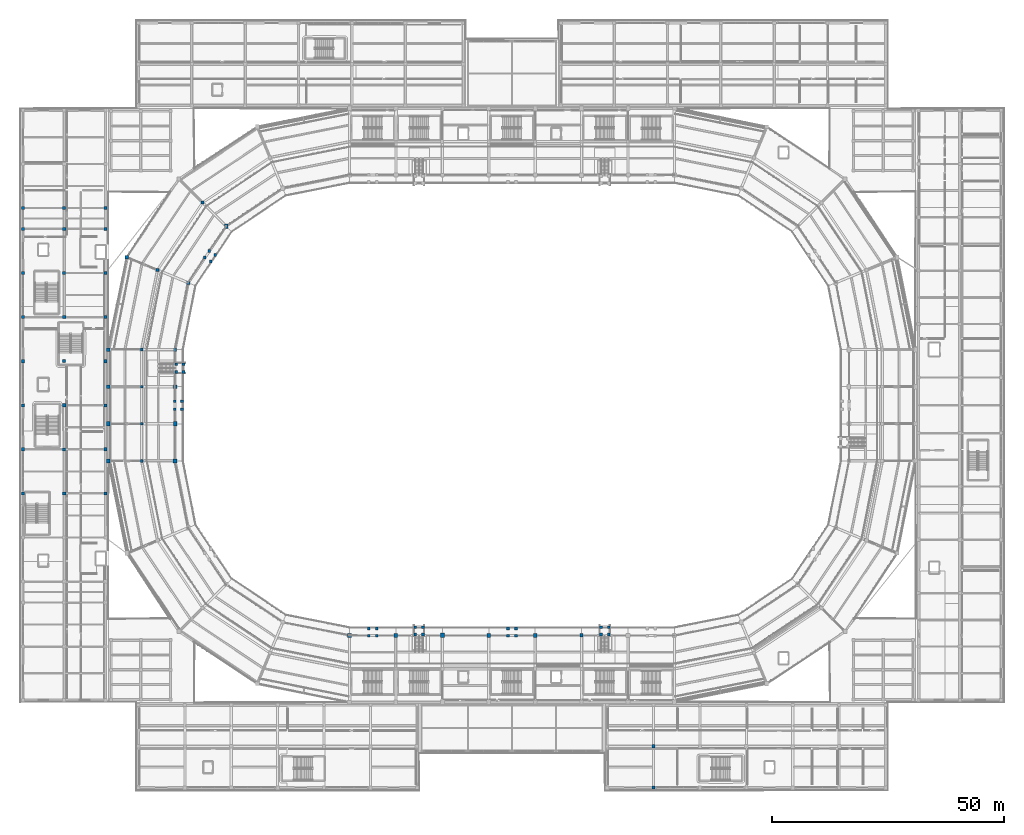
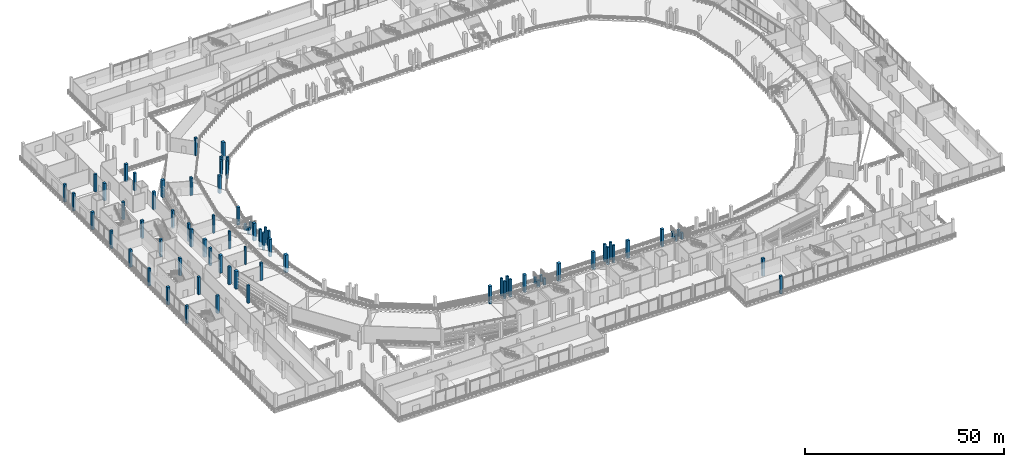
# One storey, part 4 of 127: 77 columns.
"""IFC4 building model written with IfcOpenShell, lengths in metres."""

from ifc_helpers import new_model, si_unit, direction, frame, origin, origin_2d, place, context, subcontext, project, spatial, rectangle, extrude, material, material_profile, profile_set, type_object, element, save


model = new_model("IFC4")

# Units and contexts
model_context = context("Model", 3, precision=1e-05, world=origin(), true_north=direction((0.0, 1.0)))
body_context = subcontext(model_context, "Body", "Model", "MODEL_VIEW")
ifc_project = project(units=[si_unit("LENGTHUNIT", "METRE"), si_unit("AREAUNIT", "SQUARE_METRE"), si_unit("VOLUMEUNIT", "CUBIC_METRE"), si_unit("PLANEANGLEUNIT", "RADIAN"), si_unit("MASSUNIT", "GRAM", prefix="KILO")], contexts=[model_context])

# Site, building, storey
site_placement = place(None, origin())
site = spatial("IfcSite", under=ifc_project, at=site_placement, CompositionType="ELEMENT")
building_placement = place(site_placement, origin())
building = spatial("IfcBuilding", under=site, at=building_placement, Name="Candeia Ridge Stadium", CompositionType="ELEMENT")
storey_placement = place(building_placement, frame((0.0, 0.0, 10.800048828125)))
storey = spatial("IfcBuildingStorey", under=building, at=storey_placement, Name="L02", CompositionType="ELEMENT", Elevation=10.800048828125)

# Columns
ifc_material_1 = material(Name="Concrete C45/55", Category="concrete")
ifc_material_profile_1 = material_profile(ifc_material_1, rectangle(XDim=0.800048828125, YDim=0.800048828125, at=origin_2d()), Name="RC800x800", Category="concrete")
ifc_profile_set_1 = profile_set([ifc_material_profile_1], Name="Concrete C45/55")
column_type_1 = type_object("IfcColumnType", Name="Bowl Column RC800x800", PredefinedType="COLUMN", material=ifc_profile_set_1)
for number, where, z_axis, x_axis, name in (
    (1, (36.26220703125, 109.388916015625, 0.0), (0.0, 0.0, 1.0), (1.0, 0.0, 0.0), "Structural column BC-MD-10 L02"),
    (2, (22.958251953125, 114.899658203125, 0.0), (0.0, 0.0, 1.0), (1.0, 0.0, 0.0), "Structural column BC-OU-10 L02"),
    (3, (33.39990234375, 87.0, 0.0), (0.0, 0.0, 1.0), (1.0, 0.0, 0.0), "Structural column BC-MD-12 L02"),
    (4, (19.0, 87.0, 0.0), (0.0, 0.0, 1.0), (1.0, 0.0, 0.0), "Structural column BC-OU-12 L02"),
    (5, (71.0, 33.39990234375, 0.0), (0.0, 0.0, 1.0), (1.0, 0.0, 0.0), "Structural column BC-MD-18 L02"),
    (6, (111.0, 33.39990234375, 0.0), (0.0, 0.0, 1.0), (1.0, 0.0, 0.0), "Structural column BC-MD-22 L02"),
):
    element("IfcColumn", number, at=place(storey_placement, frame(where, z_axis=z_axis, x_axis=x_axis)), inside=storey, type_object=column_type_1, Name=name, PredefinedType="COLUMN", context=body_context, shape_type="SweptSolid", body=[
        extrude(rectangle(XDim=0.800048828125, YDim=0.800048828125, at=origin_2d()), origin(), (0.0, 0.0, 1.0), 5.39990234375),
    ])
ifc_material_2 = material(Name="Concrete C40/50", Category="concrete")
ifc_material_profile_2 = material_profile(ifc_material_2, rectangle(XDim=0.47998046875, YDim=0.56005859375, at=origin_2d()), Name="RC480x560", Category="concrete")
ifc_profile_set_2 = profile_set([ifc_material_profile_2], Name="Concrete C40/50")
column_type_2 = type_object("IfcColumnType", Name="Graduated Frame Column RC480x560", PredefinedType="COLUMN", material=ifc_profile_set_2)
column_1_placement = place(storey_placement, frame((26.199951171875, 79.0, 0.0), z_axis=(0.0, 0.0, 1.0), x_axis=(1.0, 0.0, 0.0)))
element("IfcColumn", 7, at=column_1_placement, inside=storey, type_object=column_type_2, Name="Structural column BC-M2-13 L02", PredefinedType="COLUMN", context=body_context, shape_type="SweptSolid", body=[
    extrude(rectangle(XDim=0.47998046875, YDim=0.56005859375, at=origin_2d()), origin(), (0.0, 0.0, 1.0), 5.39990234375),
])
ifc_material_profile_3 = material_profile(ifc_material_2, rectangle(XDim=0.52001953125, YDim=0.6201171875, at=origin_2d()), Name="RC520x620", Category="concrete")
ifc_profile_set_3 = profile_set([ifc_material_profile_3], Name="Concrete C40/50")
column_type_3 = type_object("IfcColumnType", Name="Graduated Frame Column RC520x620", PredefinedType="COLUMN", material=ifc_profile_set_3)
column_2_placement = place(storey_placement, frame((26.199951171875, 87.0, 0.0), z_axis=(0.0, 0.0, 1.0), x_axis=(1.0, 0.0, 0.0)))
element("IfcColumn", 8, at=column_2_placement, inside=storey, type_object=column_type_3, Name="Structural column BC-M2-12 L02", PredefinedType="COLUMN", context=body_context, shape_type="SweptSolid", body=[
    extrude(rectangle(XDim=0.52001953125, YDim=0.6201171875, at=origin_2d()), origin(), (0.0, 0.0, 1.0), 5.39990234375),
])
ifc_material_profile_4 = material_profile(ifc_material_2, rectangle(XDim=0.580078125, YDim=0.580078125, at=origin_2d()), Name="RC580x580", Category="concrete")
ifc_profile_set_4 = profile_set([ifc_material_profile_4], Name="Concrete C40/50")
column_type_4 = type_object("IfcColumnType", Name="Graduated Frame Column RC580x580", PredefinedType="COLUMN", material=ifc_profile_set_4)
column_3_placement = place(storey_placement, frame((39.321533203125, 126.678466796875, 0.0), z_axis=(0.0, 0.0, 1.0), x_axis=(1.0, 0.0, 0.0)))
element("IfcColumn", 9, at=column_3_placement, inside=storey, type_object=column_type_4, Name="Structural column BC-M2-09 L02", PredefinedType="COLUMN", context=body_context, shape_type="SweptSolid", body=[
    extrude(rectangle(XDim=0.580078125, YDim=0.580078125, at=origin_2d()), origin(), (0.0, 0.0, 1.0), 5.39990234375),
])
ifc_material_profile_5 = material_profile(ifc_material_2, rectangle(XDim=0.580078125, YDim=0.679931640625, at=origin_2d()), Name="RC580x680", Category="concrete")
ifc_profile_set_5 = profile_set([ifc_material_profile_5], Name="Concrete C40/50")
column_type_5 = type_object("IfcColumnType", Name="Graduated Frame Column RC580x680", PredefinedType="COLUMN", material=ifc_profile_set_5)
column_4_placement = place(storey_placement, frame((26.199951171875, 95.0, 0.0), z_axis=(0.0, 0.0, 1.0), x_axis=(1.0, 0.0, 0.0)))
element("IfcColumn", 10, at=column_4_placement, inside=storey, type_object=column_type_5, Name="Structural column BC-M2-11 L02", PredefinedType="COLUMN", context=body_context, shape_type="SweptSolid", body=[
    extrude(rectangle(XDim=0.580078125, YDim=0.679931640625, at=origin_2d()), origin(), (0.0, 0.0, 1.0), 5.39990234375),
])
ifc_material_profile_6 = material_profile(ifc_material_2, rectangle(XDim=0.6201171875, YDim=0.6201171875, at=origin_2d()), Name="RC620x620", Category="concrete")
ifc_profile_set_6 = profile_set([ifc_material_profile_6], Name="Concrete C40/50")
column_type_6 = type_object("IfcColumnType", Name="Graduated Frame Column RC620x620", PredefinedType="COLUMN", material=ifc_profile_set_6)
column_5_placement = place(storey_placement, frame((26.199951171875, 71.0, 0.0), z_axis=(0.0, 0.0, 1.0), x_axis=(1.0, 0.0, 0.0)))
element("IfcColumn", 11, at=column_5_placement, inside=storey, type_object=column_type_6, Name="Structural column BC-M2-14 L02", PredefinedType="COLUMN", context=body_context, shape_type="SweptSolid", body=[
    extrude(rectangle(XDim=0.6201171875, YDim=0.6201171875, at=origin_2d()), origin(), (0.0, 0.0, 1.0), 5.39990234375),
])
ifc_material_profile_7 = material_profile(ifc_material_2, rectangle(XDim=0.6201171875, YDim=0.719970703125, at=origin_2d()), Name="RC620x720", Category="concrete")
ifc_profile_set_7 = profile_set([ifc_material_profile_7], Name="Concrete C40/50")
column_type_7 = type_object("IfcColumnType", Name="Graduated Frame Column RC620x720", PredefinedType="COLUMN", material=ifc_profile_set_7)
column_6_placement = place(storey_placement, frame((29.610107421875, 112.144287109375, 0.0), z_axis=(0.0, 0.0, 1.0), x_axis=(1.0, 0.0, 0.0)))
element("IfcColumn", 12, at=column_6_placement, inside=storey, type_object=column_type_7, Name="Structural column BC-M2-10 L02", PredefinedType="COLUMN", context=body_context, shape_type="SweptSolid", body=[
    extrude(rectangle(XDim=0.6201171875, YDim=0.719970703125, at=origin_2d()), origin(), (0.0, 0.0, 1.0), 5.39990234375),
])
ifc_material_profile_8 = material_profile(ifc_material_2, rectangle(XDim=0.679931640625, YDim=0.760009765625, at=origin_2d()), Name="RC680x760", Category="concrete")
ifc_profile_set_8 = profile_set([ifc_material_profile_8], Name="Concrete C40/50")
column_type_8 = type_object("IfcColumnType", Name="Graduated Frame Column RC680x760", PredefinedType="COLUMN", material=ifc_profile_set_8)
for number, where, z_axis, x_axis, name in (
    (13, (33.39990234375, 95.0, 0.0), (0.0, 0.0, 1.0), (1.0, 0.0, 0.0), "Structural column BC-MD-11 L02"),
    (14, (19.0, 95.0, 0.0), (0.0, 0.0, 1.0), (1.0, 0.0, 0.0), "Structural column BC-OU-11 L02"),
    (15, (121.0, 33.39990234375, 0.0), (0.0, 0.0, 1.0), (1.0, 0.0, 0.0), "Structural column BC-MD-23 L02"),
):
    element("IfcColumn", number, at=place(storey_placement, frame(where, z_axis=z_axis, x_axis=x_axis)), inside=storey, type_object=column_type_8, Name=name, PredefinedType="COLUMN", context=body_context, shape_type="SweptSolid", body=[
        extrude(rectangle(XDim=0.679931640625, YDim=0.760009765625, at=origin_2d()), origin(), (0.0, 0.0, 1.0), 5.39990234375),
    ])
ifc_material_profile_9 = material_profile(ifc_material_1, rectangle(XDim=0.820068359375, YDim=0.949951171875, at=origin_2d()), Name="RC820x950", Category="concrete")
ifc_profile_set_9 = profile_set([ifc_material_profile_9], Name="Concrete C45/55")
column_type_9 = type_object("IfcColumnType", Name="Graduated Frame Column RC820x950", PredefinedType="COLUMN", material=ifc_profile_set_9)
for number, where, z_axis, x_axis, name in (
    (16, (33.39990234375, 71.0, 0.0), (0.0, 0.0, 1.0), (1.0, 0.0, 0.0), "Structural column BC-MD-14 L02"),
    (17, (19.0, 71.0, 0.0), (0.0, 0.0, 1.0), (1.0, 0.0, 0.0), "Structural column BC-OU-14 L02"),
    (18, (91.0, 33.39990234375, 0.0), (0.0, 0.0, 1.0), (1.0, 0.0, 0.0), "Structural column BC-MD-20 L02"),
):
    element("IfcColumn", number, at=place(storey_placement, frame(where, z_axis=z_axis, x_axis=x_axis)), inside=storey, type_object=column_type_9, Name=name, PredefinedType="COLUMN", context=body_context, shape_type="SweptSolid", body=[
        extrude(rectangle(XDim=0.820068359375, YDim=0.949951171875, at=origin_2d()), origin(), (0.0, 0.0, 1.0), 5.39990234375),
    ])
ifc_material_profile_10 = material_profile(ifc_material_2, rectangle(XDim=0.64990234375, YDim=0.64990234375, at=origin_2d()), Name="RC650x650", Category="concrete")
ifc_profile_set_10 = profile_set([ifc_material_profile_10], Name="Concrete C40/50")
column_type_10 = type_object("IfcColumnType", Name="Reinforced Concrete Column RC650x650", PredefinedType="COLUMN", material=ifc_profile_set_10)
for number, where, z_axis, x_axis, name in (
    (19, (0.60009765625, 64.0, 0.0), (0.0, 0.0, 1.0), (1.0, 0.0, 0.0), "Structural column WP-00-05 L02"),
    (20, (0.60009765625, 83.0, 0.0), (0.0, 0.0, 1.0), (1.0, 0.0, 0.0), "Structural column WP-00-07 L02"),
    (21, (0.60009765625, 102.0, 0.0), (0.0, 0.0, 1.0), (1.0, 0.0, 0.0), "Structural column WP-00-09 L02"),
    (22, (0.60009765625, 121.0, 0.0), (0.0, 0.0, 1.0), (1.0, 0.0, 0.0), "Structural column WP-00-11 L02"),
    (23, (9.5, 73.5, 0.0), (0.0, 0.0, 1.0), (1.0, 0.0, 0.0), "Structural column WP-01-06 L02"),
    (24, (9.5, 92.5, 0.0), (0.0, 0.0, 1.0), (1.0, 0.0, 0.0), "Structural column WP-01-08 L02"),
    (25, (9.5, 111.5, 0.0), (0.0, 0.0, 1.0), (1.0, 0.0, 0.0), "Structural column WP-01-10 L02"),
    (26, (9.5, 125.5, 0.0), (0.0, 0.0, 1.0), (1.0, 0.0, 0.0), "Structural column WP-01-12 L02"),
    (27, (18.39990234375, 64.0, 0.0), (0.0, 0.0, 1.0), (1.0, 0.0, 0.0), "Structural column WP-02-05 L02"),
    (28, (18.39990234375, 83.0, 0.0), (0.0, 0.0, 1.0), (1.0, 0.0, 0.0), "Structural column WP-02-07 L02"),
    (29, (18.39990234375, 102.0, 0.0), (0.0, 0.0, 1.0), (1.0, 0.0, 0.0), "Structural column WP-02-09 L02"),
    (30, (18.39990234375, 121.0, 0.0), (0.0, 0.0, 1.0), (1.0, 0.0, 0.0), "Structural column WP-02-11 L02"),
    (31, (136.5, 0.60009765625, 0.0), (0.0, 0.0, 1.0), (1.0, 0.0, 0.0), "Structural column SWE-01-00 L02"),
):
    element("IfcColumn", number, at=place(storey_placement, frame(where, z_axis=z_axis, x_axis=x_axis)), inside=storey, type_object=column_type_10, Name=name, PredefinedType="COLUMN", context=body_context, shape_type="SweptSolid", body=[
        extrude(rectangle(XDim=0.64990234375, YDim=0.64990234375, at=origin_2d()), origin(), (0.0, 0.0, 1.0), 5.39990234375),
    ])
ifc_material_profile_11 = material_profile(ifc_material_1, rectangle(XDim=0.75, YDim=0.89990234375, at=origin_2d()), Name="RC750x900", Category="concrete")
ifc_profile_set_11 = profile_set([ifc_material_profile_11], Name="Concrete C45/55")
column_type_11 = type_object("IfcColumnType", Name="Reinforced Concrete Column RC750x900", PredefinedType="COLUMN", material=ifc_profile_set_11)
for number, where, z_axis, x_axis, name in (
    (32, (44.412841796875, 121.587158203125, 0.0), (0.0, 0.0, 1.0), (1.0, 0.0, 0.0), "Structural column BC-MD-09 L02"),
    (33, (33.39990234375, 79.0, 0.0), (0.0, 0.0, 1.0), (1.0, 0.0, 0.0), "Structural column BC-MD-13 L02"),
    (34, (19.0, 79.0, 0.0), (0.0, 0.0, 1.0), (1.0, 0.0, 0.0), "Structural column BC-OU-13 L02"),
    (35, (81.0, 33.39990234375, 0.0), (0.0, 0.0, 1.0), (1.0, 0.0, 0.0), "Structural column BC-MD-19 L02"),
    (36, (101.0, 33.39990234375, 0.0), (0.0, 0.0, 1.0), (1.0, 0.0, 0.0), "Structural column BC-MD-21 L02"),
):
    element("IfcColumn", number, at=place(storey_placement, frame(where, z_axis=z_axis, x_axis=x_axis)), inside=storey, type_object=column_type_11, Name=name, PredefinedType="COLUMN", context=body_context, shape_type="SweptSolid", body=[
        extrude(rectangle(XDim=0.75, YDim=0.89990234375, at=origin_2d()), origin(), (0.0, 0.0, 1.0), 5.39990234375),
    ])
ifc_material_profile_12 = material_profile(ifc_material_2, rectangle(XDim=0.60009765625, YDim=0.60009765625, at=origin_2d()), Name="RC600x600", Category="concrete")
ifc_profile_set_12 = profile_set([ifc_material_profile_12], Name="Concrete C40/50")
column_type_12 = type_object("IfcColumnType", Name="Wing Column RC600x600", PredefinedType="COLUMN", material=ifc_profile_set_12)
for number, where, z_axis, x_axis, name in (
    (37, (33.6298828125, 90.14990234375, 0.0), (0.0, 0.0, 1.0), (1.0, 0.0, 0.0), "Vomitory VS21 landing support column 1 L02"),
    (38, (35.179931640625, 90.14990234375, 0.0), (0.0, 0.0, 1.0), (1.0, 0.0, 0.0), "Vomitory VS21 landing support column 2 L02"),
    (39, (35.179931640625, 91.85009765625, 0.0), (0.0, 0.0, 1.0), (1.0, 0.0, 0.0), "Vomitory VS21 landing support column 3 L02"),
    (40, (33.6298828125, 91.85009765625, 0.0), (0.0, 0.0, 1.0), (1.0, 0.0, 0.0), "Vomitory VS21 landing support column 4 L02"),
    (41, (86.85009765625, 33.6298828125, 0.0), (0.0, 0.0, 1.0), (1.0, 0.0, 0.0), "Vomitory VS22 landing support column 1 L02"),
    (42, (86.85009765625, 35.179931640625, 0.0), (0.0, 0.0, 1.0), (1.0, 0.0, 0.0), "Vomitory VS22 landing support column 2 L02"),
    (43, (85.14990234375, 35.179931640625, 0.0), (0.0, 0.0, 1.0), (1.0, 0.0, 0.0), "Vomitory VS22 landing support column 3 L02"),
    (44, (85.14990234375, 33.6298828125, 0.0), (0.0, 0.0, 1.0), (1.0, 0.0, 0.0), "Vomitory VS22 landing support column 4 L02"),
    (45, (126.85009765625, 33.6298828125, 0.0), (0.0, 0.0, 1.0), (1.0, 0.0, 0.0), "Vomitory VS23 landing support column 1 L02"),
    (46, (126.85009765625, 35.179931640625, 0.0), (0.0, 0.0, 1.0), (1.0, 0.0, 0.0), "Vomitory VS23 landing support column 2 L02"),
    (47, (125.14990234375, 35.179931640625, 0.0), (0.0, 0.0, 1.0), (1.0, 0.0, 0.0), "Vomitory VS23 landing support column 3 L02"),
    (48, (125.14990234375, 33.6298828125, 0.0), (0.0, 0.0, 1.0), (1.0, 0.0, 0.0), "Vomitory VS23 landing support column 4 L02"),
):
    element("IfcColumn", number, at=place(storey_placement, frame(where, z_axis=z_axis, x_axis=x_axis)), inside=storey, type_object=column_type_12, Name=name, PredefinedType="COLUMN", context=body_context, shape_type="SweptSolid", body=[
        extrude(rectangle(XDim=0.60009765625, YDim=0.60009765625, at=origin_2d()), origin(), (0.0, 0.0, 1.0), 2.0400390625),
    ])
for number, where, z_axis, x_axis, name in (
    (49, (39.803955078125, 114.822265625, 0.0), (0.0, 0.0, 1.0), (1.0, 0.0, 0.0), "Vomitory VS28 landing support column 1 L02"),
    (50, (41.0927734375, 113.961181640625, 0.0), (0.0, 0.0, 1.0), (1.0, 0.0, 0.0), "Vomitory VS28 landing support column 2 L02"),
    (51, (42.037109375, 115.37451171875, 0.0), (0.0, 0.0, 1.0), (1.0, 0.0, 0.0), "Vomitory VS28 landing support column 3 L02"),
    (52, (40.748291015625, 116.23583984375, 0.0), (0.0, 0.0, 1.0), (1.0, 0.0, 0.0), "Vomitory VS28 landing support column 4 L02"),
    (53, (33.318115234375, 82.14990234375, 0.0), (0.0, 0.0, 1.0), (1.0, 0.0, 0.0), "Vomitory VS29 landing support column 1 L02"),
    (54, (34.867919921875, 82.14990234375, 0.0), (0.0, 0.0, 1.0), (1.0, 0.0, 0.0), "Vomitory VS29 landing support column 2 L02"),
    (55, (34.867919921875, 83.85009765625, 0.0), (0.0, 0.0, 1.0), (1.0, 0.0, 0.0), "Vomitory VS29 landing support column 3 L02"),
    (56, (33.318115234375, 83.85009765625, 0.0), (0.0, 0.0, 1.0), (1.0, 0.0, 0.0), "Vomitory VS29 landing support column 4 L02"),
    (57, (76.85009765625, 33.318115234375, 0.0), (0.0, 0.0, 1.0), (1.0, 0.0, 0.0), "Vomitory VS31 landing support column 1 L02"),
    (58, (76.85009765625, 34.867919921875, 0.0), (0.0, 0.0, 1.0), (1.0, 0.0, 0.0), "Vomitory VS31 landing support column 2 L02"),
    (59, (75.14990234375, 34.867919921875, 0.0), (0.0, 0.0, 1.0), (1.0, 0.0, 0.0), "Vomitory VS31 landing support column 3 L02"),
    (60, (75.14990234375, 33.318115234375, 0.0), (0.0, 0.0, 1.0), (1.0, 0.0, 0.0), "Vomitory VS31 landing support column 4 L02"),
    (61, (106.85009765625, 33.318115234375, 0.0), (0.0, 0.0, 1.0), (1.0, 0.0, 0.0), "Vomitory VS32 landing support column 1 L02"),
    (62, (106.85009765625, 34.867919921875, 0.0), (0.0, 0.0, 1.0), (1.0, 0.0, 0.0), "Vomitory VS32 landing support column 2 L02"),
    (63, (105.14990234375, 34.867919921875, 0.0), (0.0, 0.0, 1.0), (1.0, 0.0, 0.0), "Vomitory VS32 landing support column 3 L02"),
    (64, (105.14990234375, 33.318115234375, 0.0), (0.0, 0.0, 1.0), (1.0, 0.0, 0.0), "Vomitory VS32 landing support column 4 L02"),
):
    element("IfcColumn", number, at=place(storey_placement, frame(where, z_axis=z_axis, x_axis=x_axis)), inside=storey, type_object=column_type_12, Name=name, PredefinedType="COLUMN", context=body_context, shape_type="SweptSolid", body=[
        extrude(rectangle(XDim=0.60009765625, YDim=0.60009765625, at=origin_2d()), origin(), (0.0, 0.0, 1.0), 5.39990234375),
    ])
ifc_material_profile_13 = material_profile(ifc_material_2, rectangle(XDim=0.699951171875, YDim=0.699951171875, at=origin_2d()), Name="RC700x700", Category="concrete")
ifc_profile_set_13 = profile_set([ifc_material_profile_13], Name="Concrete C40/50")
column_type_13 = type_object("IfcColumnType", Name="Wing Column RC700x700", PredefinedType="COLUMN", material=ifc_profile_set_13)
for number, where, z_axis, x_axis, name in (
    (65, (0.60009765625, 73.5, 0.0), (0.0, 0.0, 1.0), (1.0, 0.0, 0.0), "Structural column WP-00-06 L02"),
    (66, (0.60009765625, 92.5, 0.0), (0.0, 0.0, 1.0), (1.0, 0.0, 0.0), "Structural column WP-00-08 L02"),
    (67, (0.60009765625, 111.5, 0.0), (0.0, 0.0, 1.0), (1.0, 0.0, 0.0), "Structural column WP-00-10 L02"),
    (68, (0.60009765625, 125.5, 0.0), (0.0, 0.0, 1.0), (1.0, 0.0, 0.0), "Structural column WP-00-12 L02"),
    (69, (9.5, 64.0, 0.0), (0.0, 0.0, 1.0), (1.0, 0.0, 0.0), "Structural column WP-01-05 L02"),
    (70, (9.5, 83.0, 0.0), (0.0, 0.0, 1.0), (1.0, 0.0, 0.0), "Structural column WP-01-07 L02"),
    (71, (9.5, 102.0, 0.0), (0.0, 0.0, 1.0), (1.0, 0.0, 0.0), "Structural column WP-01-09 L02"),
    (72, (9.5, 121.0, 0.0), (0.0, 0.0, 1.0), (1.0, 0.0, 0.0), "Structural column WP-01-11 L02"),
    (73, (18.39990234375, 73.5, 0.0), (0.0, 0.0, 1.0), (1.0, 0.0, 0.0), "Structural column WP-02-06 L02"),
    (74, (18.39990234375, 92.5, 0.0), (0.0, 0.0, 1.0), (1.0, 0.0, 0.0), "Structural column WP-02-08 L02"),
    (75, (18.39990234375, 111.5, 0.0), (0.0, 0.0, 1.0), (1.0, 0.0, 0.0), "Structural column WP-02-10 L02"),
    (76, (18.39990234375, 125.5, 0.0), (0.0, 0.0, 1.0), (1.0, 0.0, 0.0), "Structural column WP-02-12 L02"),
    (77, (136.5, 9.5, 0.0), (0.0, 0.0, 1.0), (1.0, 0.0, 0.0), "Structural column SWE-01-01 L02"),
):
    element("IfcColumn", number, at=place(storey_placement, frame(where, z_axis=z_axis, x_axis=x_axis)), inside=storey, type_object=column_type_13, Name=name, PredefinedType="COLUMN", context=body_context, shape_type="SweptSolid", body=[
        extrude(rectangle(XDim=0.699951171875, YDim=0.699951171875, at=origin_2d()), origin(), (0.0, 0.0, 1.0), 5.39990234375),
    ])

save(model, "model.ifc")
